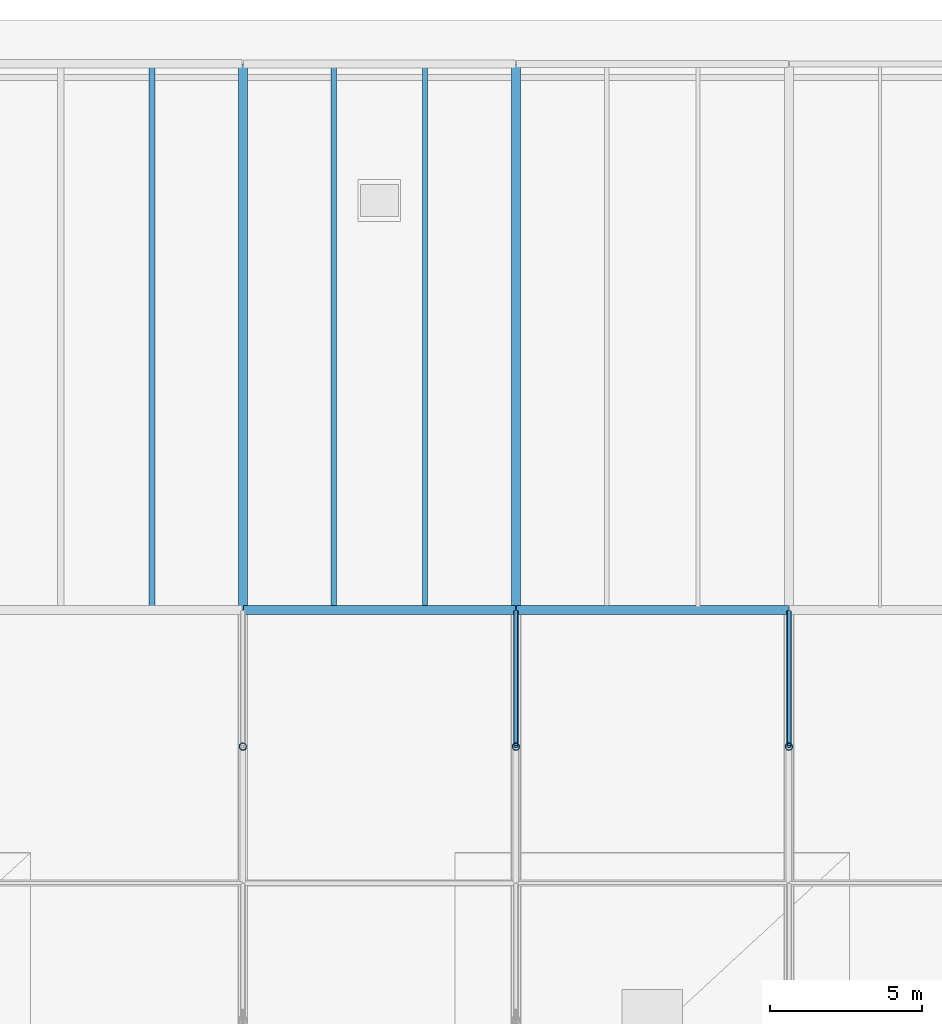
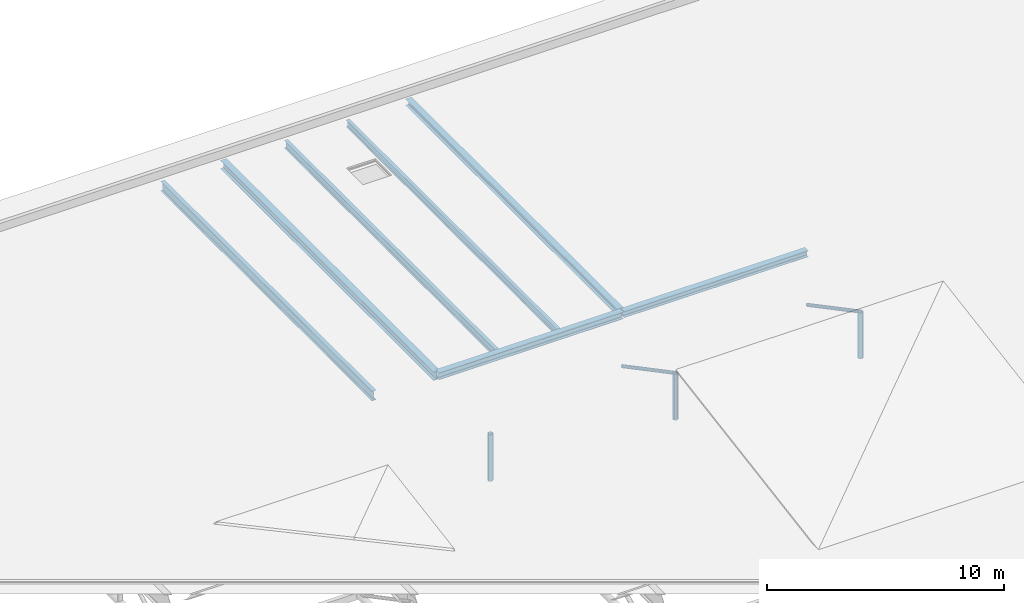
# One storey, part 70 of 196: 7 beams, 5 members.
"""IFC4 building model written with IfcOpenShell, lengths in metres."""

from ifc_helpers import new_model, si_unit, direction, frame, origin, origin_2d, place, context, subcontext, project, spatial, hollow_circle, i_section, extrude, material, material_profile, profile_set, type_object, element, save


model = new_model("IFC4")

# Units and contexts
model_context = context("Model", 3, precision=1e-05, world=origin(), true_north=direction((0.0, 1.0)))
body_context = subcontext(model_context, "Body", "Model", "MODEL_VIEW")
ifc_project = project(units=[si_unit("LENGTHUNIT", "METRE"), si_unit("AREAUNIT", "SQUARE_METRE"), si_unit("VOLUMEUNIT", "CUBIC_METRE"), si_unit("PLANEANGLEUNIT", "RADIAN"), si_unit("MASSUNIT", "GRAM", prefix="KILO")], contexts=[model_context])

# Site, building, storey
site_placement = place(None, origin())
site = spatial("IfcSite", under=ifc_project, at=site_placement, CompositionType="ELEMENT")
building_placement = place(site_placement, origin())
building = spatial("IfcBuilding", under=site, at=building_placement, Name="Barlavento Convention Centre", CompositionType="ELEMENT")
storey_placement = place(building_placement, frame((0.0, 0.0, 18.0)))
storey = spatial("IfcBuildingStorey", under=building, at=storey_placement, Name="L03", CompositionType="ELEMENT", Elevation=18.0)

# Beams
ifc_material = material(Name="Steel S355", Category="steel")
ifc_material_profile_1 = material_profile(ifc_material, i_section(OverallWidth=0.169921875, OverallDepth=0.360107421875, WebThickness=0.008056640625, FlangeThickness=0.0126953125, FilletRadius=0.01806640625, at=origin_2d()), Name="IPE 360")
ifc_profile_set_1 = profile_set([ifc_material_profile_1], Name="Steel S355")
beam_type_1 = type_object("IfcBeamType", Name="STR-BM-JST-IPE360", PredefinedType="JOIST", material=ifc_profile_set_1)
beam_1_placement = place(storey_placement, frame((42.0, 117.094970703125, -0.52490234375), z_axis=(0.0, 1.0, 0.0), x_axis=(-1.0, 0.0, 0.0)))
element("IfcBeam", 1, at=beam_1_placement, inside=storey, type_object=beam_type_1, Name="L03 composite floor joist SJ05", PredefinedType="JOIST", context=body_context, shape_type="SweptSolid", body=[
    extrude(i_section(OverallWidth=0.169921875, OverallDepth=0.360107421875, WebThickness=0.008056640625, FlangeThickness=0.0126953125, FilletRadius=0.01806640625, at=origin_2d()), origin(), (0.0, 0.0, 1.0), 17.81005859375),
])
ifc_material_profile_2 = material_profile(ifc_material, i_section(OverallWidth=0.179931640625, OverallDepth=0.39990234375, WebThickness=0.008544921875, FlangeThickness=0.013427734375, FilletRadius=0.02099609375, at=origin_2d()), Name="IPE 400")
ifc_profile_set_2 = profile_set([ifc_material_profile_2], Name="Steel S355")
beam_type_2 = type_object("IfcBeamType", Name="STR-BM-JST-IPE400", PredefinedType="JOIST", material=ifc_profile_set_2)
beam_2_placement = place(storey_placement, frame((39.0, 117.094970703125, -0.544921875), z_axis=(0.0, 1.0, 0.0), x_axis=(-1.0, 0.0, 0.0)))
element("IfcBeam", 2, at=beam_2_placement, inside=storey, type_object=beam_type_2, Name="L03 composite floor joist SJ04", PredefinedType="JOIST", context=body_context, shape_type="SweptSolid", body=[
    extrude(i_section(OverallWidth=0.179931640625, OverallDepth=0.39990234375, WebThickness=0.008544921875, FlangeThickness=0.013427734375, FilletRadius=0.02099609375, at=origin_2d()), origin(), (0.0, 0.0, 1.0), 17.81005859375),
])
ifc_material_profile_3 = material_profile(ifc_material, i_section(OverallWidth=0.199951171875, OverallDepth=0.5, WebThickness=0.01025390625, FlangeThickness=0.01611328125, FilletRadius=0.02099609375, at=origin_2d()), Name="IPE 500")
ifc_profile_set_3 = profile_set([ifc_material_profile_3], Name="Steel S355")
beam_type_3 = type_object("IfcBeamType", Name="STR-BM-JST-IPE500", PredefinedType="JOIST", material=ifc_profile_set_3)
beam_3_placement = place(storey_placement, frame((33.0, 117.094970703125, -0.594970703125), z_axis=(0.0, 1.0, 0.0), x_axis=(-1.0, 0.0, 0.0)))
element("IfcBeam", 3, at=beam_3_placement, inside=storey, type_object=beam_type_3, Name="L03 composite floor joist SJ02", PredefinedType="JOIST", context=body_context, shape_type="SweptSolid", body=[
    extrude(i_section(OverallWidth=0.199951171875, OverallDepth=0.5, WebThickness=0.01025390625, FlangeThickness=0.01611328125, FilletRadius=0.02099609375, at=origin_2d()), origin(), (0.0, 0.0, 1.0), 17.81005859375),
])
ifc_material_profile_4 = material_profile(ifc_material, i_section(OverallWidth=0.300048828125, OverallDepth=0.330078125, WebThickness=0.009521484375, FlangeThickness=0.0166015625, FilletRadius=0.027099609375, at=origin_2d()), Name="HEA 340")
ifc_profile_set_4 = profile_set([ifc_material_profile_4], Name="Steel S355")
beam_type_4 = type_object("IfcBeamType", Name="STR-BM-PRI-HEA340", PredefinedType="BEAM", material=ifc_profile_set_4)
beam_4_placement = place(storey_placement, frame((45.0, 117.02001953125, -0.510009765625), z_axis=(0.0, 1.0, 0.0), x_axis=(-1.0, 0.0, 0.0)))
element("IfcBeam", 4, at=beam_4_placement, inside=storey, type_object=beam_type_4, Name="L03 grid girder BG24", PredefinedType="BEAM", context=body_context, shape_type="SweptSolid", body=[
    extrude(i_section(OverallWidth=0.300048828125, OverallDepth=0.330078125, WebThickness=0.009521484375, FlangeThickness=0.0166015625, FilletRadius=0.027099609375, at=origin_2d()), origin(), (0.0, 0.0, 1.0), 17.9599609375),
])
ifc_material_profile_5 = material_profile(ifc_material, i_section(OverallWidth=0.300048828125, OverallDepth=0.43994140625, WebThickness=0.011474609375, FlangeThickness=0.02099609375, FilletRadius=0.027099609375, at=origin_2d()), Name="HEA 450")
ifc_profile_set_5 = profile_set([ifc_material_profile_5], Name="Steel S355")
beam_type_5 = type_object("IfcBeamType", Name="STR-BM-PRI-HEA450", PredefinedType="BEAM", material=ifc_profile_set_5)
beam_5_placement = place(storey_placement, frame((36.0, 117.02001953125, -0.56494140625), z_axis=(0.0, 1.0, 0.0), x_axis=(-1.0, 0.0, 0.0)))
element("IfcBeam", 5, at=beam_5_placement, inside=storey, type_object=beam_type_5, Name="L03 grid girder BG21", PredefinedType="BEAM", context=body_context, shape_type="SweptSolid", body=[
    extrude(i_section(OverallWidth=0.300048828125, OverallDepth=0.43994140625, WebThickness=0.011474609375, FlangeThickness=0.02099609375, FilletRadius=0.027099609375, at=origin_2d()), origin(), (0.0, 0.0, 1.0), 17.9599609375),
])
ifc_material_profile_6 = material_profile(ifc_material, i_section(OverallWidth=0.300048828125, OverallDepth=0.320068359375, WebThickness=0.011474609375, FlangeThickness=0.0205078125, FilletRadius=0.027099609375, at=origin_2d()), Name="HEB 320")
ifc_profile_set_6 = profile_set([ifc_material_profile_6], Name="Steel S355")
beam_type_6 = type_object("IfcBeamType", Name="STR-BM-PRI-HEB320", PredefinedType="BEAM", material=ifc_profile_set_6)
beam_6_placement = place(storey_placement, frame((45.02001953125, 117.0, -0.5048828125), z_axis=(1.0, 0.0, 0.0), x_axis=(0.0, 1.0, 0.0)))
element("IfcBeam", 6, at=beam_6_placement, inside=storey, type_object=beam_type_6, Name="L03 primary girder BG13", PredefinedType="BEAM", context=body_context, shape_type="SweptSolid", body=[
    extrude(i_section(OverallWidth=0.300048828125, OverallDepth=0.320068359375, WebThickness=0.011474609375, FlangeThickness=0.0205078125, FilletRadius=0.027099609375, at=origin_2d()), origin(), (0.0, 0.0, 1.0), 8.9599609375),
])
ifc_material_profile_7 = material_profile(ifc_material, i_section(OverallWidth=0.300048828125, OverallDepth=0.360107421875, WebThickness=0.012451171875, FlangeThickness=0.0224609375, FilletRadius=0.027099609375, at=origin_2d()), Name="HEB 360")
ifc_profile_set_7 = profile_set([ifc_material_profile_7], Name="Steel S355")
beam_type_7 = type_object("IfcBeamType", Name="STR-BM-PRI-HEB360", PredefinedType="BEAM", material=ifc_profile_set_7)
beam_7_placement = place(storey_placement, frame((36.02001953125, 117.0, -0.52490234375), z_axis=(1.0, 0.0, 0.0), x_axis=(0.0, 1.0, 0.0)))
element("IfcBeam", 7, at=beam_7_placement, inside=storey, type_object=beam_type_7, Name="L03 primary girder BG12", PredefinedType="BEAM", context=body_context, shape_type="SweptSolid", body=[
    extrude(i_section(OverallWidth=0.300048828125, OverallDepth=0.360107421875, WebThickness=0.012451171875, FlangeThickness=0.0224609375, FilletRadius=0.027099609375, at=origin_2d()), origin(), (0.0, 0.0, 1.0), 8.9599609375),
])

# Members
ifc_material_profile_8 = material_profile(ifc_material, hollow_circle(Radius=0.084228515625, WallThickness=0.010009765625, at=origin_2d()), Name="CHS 168.3x10.0")
ifc_profile_set_8 = profile_set([ifc_material_profile_8], Name="Steel S355")
member_type_1 = type_object("IfcMemberType", Name="STR-MEM-DIAG-CHS168", PredefinedType="POST", material=ifc_profile_set_8)
member_1_placement = place(storey_placement, frame((45.0, 112.5, -0.84912109375), z_axis=(0.0, 0.884200566707, -0.467107437144), x_axis=(-1.0, 0.0, 0.0)))
element("IfcMember", 8, at=member_1_placement, inside=storey, type_object=member_type_1, Name="Exhibition space frame web diagonal", PredefinedType="POST", context=body_context, shape_type="SweptSolid", body=[
    extrude(hollow_circle(Radius=0.084228515625, WallThickness=0.010009765625, at=origin_2d()), origin(), (0.0, 0.0, 1.0), 5.03271484375),
])
member_2_placement = place(storey_placement, frame((54.0, 112.5, -0.844970703125), z_axis=(0.0, 0.883859857229, -0.467751806816), x_axis=(-1.0, 0.0, 0.0)))
element("IfcMember", 9, at=member_2_placement, inside=storey, type_object=member_type_1, Name="Exhibition space frame web diagonal", PredefinedType="POST", context=body_context, shape_type="SweptSolid", body=[
    extrude(hollow_circle(Radius=0.084228515625, WallThickness=0.010009765625, at=origin_2d()), origin(), (0.0, 0.0, 1.0), 5.03466796875),
])
ifc_material_profile_9 = material_profile(ifc_material, hollow_circle(Radius=0.122314453125, WallThickness=0.012451171875, at=origin_2d()), Name="CHS 244.5x12.5")
ifc_profile_set_9 = profile_set([ifc_material_profile_9], Name="Steel S355")
member_type_2 = type_object("IfcMemberType", Name="STR-MEM-STRUT-CHS244", PredefinedType="STRUT", material=ifc_profile_set_9)
member_3_placement = place(storey_placement, frame((36.0, 112.5, -3.199951171875), z_axis=(0.0, 0.0, 1.0), x_axis=(1.0, 0.0, 0.0)))
element("IfcMember", 10, at=member_3_placement, inside=storey, type_object=member_type_2, Name="Exhibition space frame vertical strut", PredefinedType="STRUT", context=body_context, shape_type="SweptSolid", body=[
    extrude(hollow_circle(Radius=0.122314453125, WallThickness=0.012451171875, at=origin_2d()), origin(), (0.0, 0.0, 1.0), 2.405029296875),
])
member_4_placement = place(storey_placement, frame((45.0, 112.5, -3.199951171875), z_axis=(0.0, 0.0, 1.0), x_axis=(1.0, 0.0, 0.0)))
element("IfcMember", 11, at=member_4_placement, inside=storey, type_object=member_type_2, Name="Exhibition space frame vertical strut", PredefinedType="STRUT", context=body_context, shape_type="SweptSolid", body=[
    extrude(hollow_circle(Radius=0.122314453125, WallThickness=0.012451171875, at=origin_2d()), origin(), (0.0, 0.0, 1.0), 2.350830078125),
])
member_5_placement = place(storey_placement, frame((54.0, 112.5, -3.199951171875), z_axis=(0.0, 0.0, 1.0), x_axis=(1.0, 0.0, 0.0)))
element("IfcMember", 12, at=member_5_placement, inside=storey, type_object=member_type_2, Name="Exhibition space frame vertical strut", PredefinedType="STRUT", context=body_context, shape_type="SweptSolid", body=[
    extrude(hollow_circle(Radius=0.122314453125, WallThickness=0.012451171875, at=origin_2d()), origin(), (0.0, 0.0, 1.0), 2.35498046875),
])

save(model, "model.ifc")
